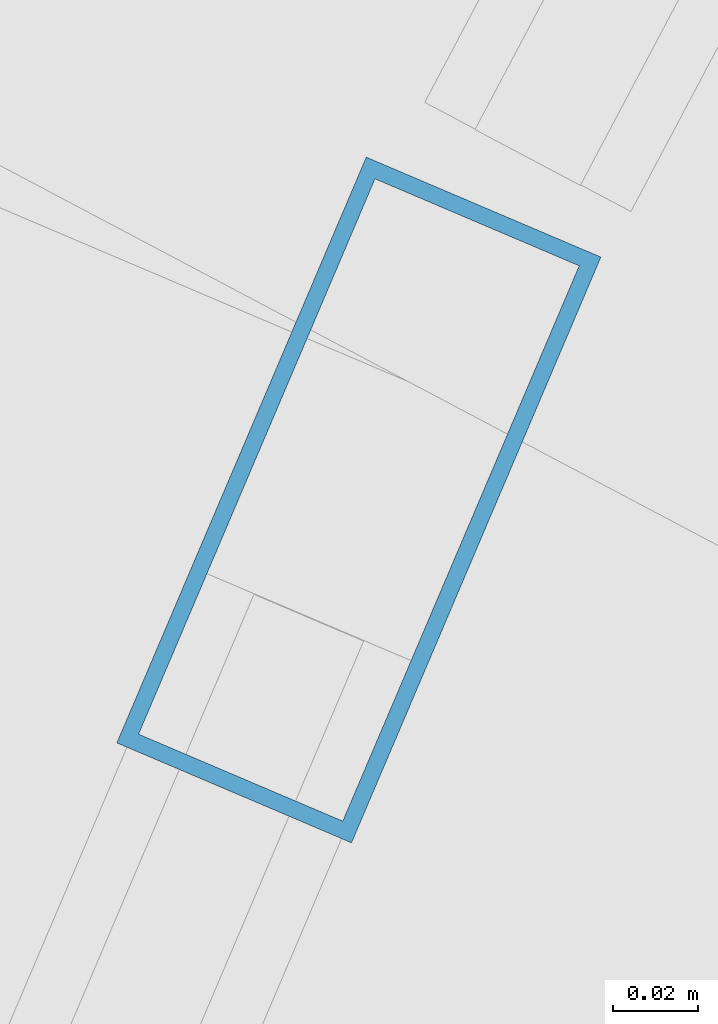
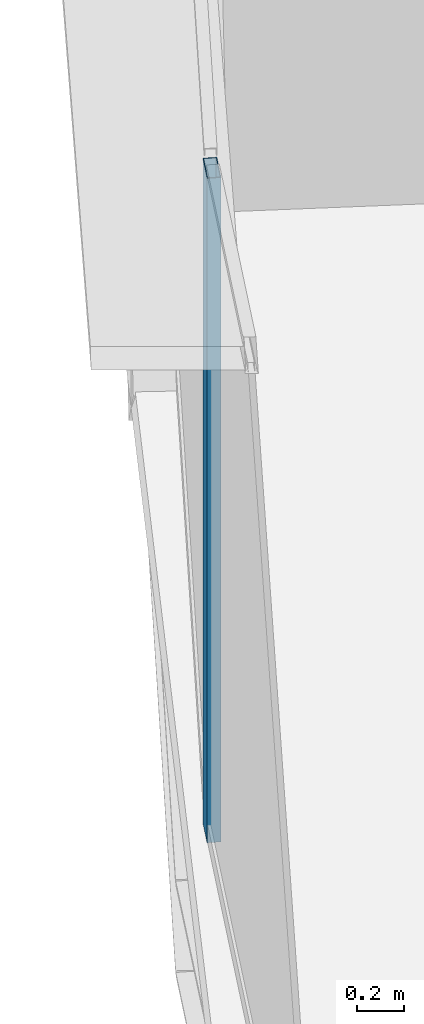
# One storey, part 8 of 39: 1 member, 1 element without a shape of its own.
"""IFC4 building model written with IfcOpenShell, lengths in metres."""

from ifc_helpers import new_model, si_unit, direction, frame, origin, origin_2d, place, context, subcontext, project, spatial, hollow_rectangle, extrude, source, transform, mapped, material, layer, layer_set, material_profile, profile_set, type_object, element, aggregate, save


model = new_model("IFC4")

# Units and contexts
model_context = context("Model", 3, precision=1e-05, world=origin(), true_north=direction((0.0, 1.0)))
body_context = subcontext(model_context, "Body", "Model", "MODEL_VIEW")
ifc_project = project(units=[si_unit("LENGTHUNIT", "METRE"), si_unit("AREAUNIT", "SQUARE_METRE"), si_unit("VOLUMEUNIT", "CUBIC_METRE"), si_unit("PLANEANGLEUNIT", "RADIAN"), si_unit("MASSUNIT", "GRAM", prefix="KILO"), si_unit("THERMODYNAMICTEMPERATUREUNIT", "KELVIN"), si_unit("POWERUNIT", "WATT")], contexts=[model_context])

# Site, building, storey
site_placement = place(None, origin())
site = spatial("IfcSite", under=ifc_project, at=site_placement, CompositionType="ELEMENT")
building_placement = place(site_placement, origin())
building = spatial("IfcBuilding", under=site, at=building_placement, Name="Yunzhuo Pagoda Commons", CompositionType="ELEMENT")
storey_placement = place(building_placement, frame((0.0, 0.0, 148.22998046875)))
storey = spatial("IfcBuildingStorey", under=building, at=storey_placement, Name="L37", CompositionType="ELEMENT", Elevation=148.22998046875)

# Curtain wall, member
ifc_material = material(Name="Anodized aluminium 6063-T6", Category="aluminium")
ifc_layer = layer(ifc_material, 0.14990234375)
ifc_layer_set = layer_set([ifc_layer], Name="Anodized aluminium 6063-T6")
curtain_wall_type = type_object("IfcCurtainWallType", Name="CW-MID Mid-Zone Ribbon Curtain Wall", PredefinedType="NOTDEFINED", material=ifc_layer_set)
curtain_wall_placement = place(storey_placement, origin())
curtain_wall = element("IfcCurtainWall", 1, at=curtain_wall_placement, inside=storey, type_object=curtain_wall_type, Name="L37 curtain wall CW-L37-F3B4", PredefinedType="NOTDEFINED")
ifc_material_profile = material_profile(ifc_material, hollow_rectangle(XDim=0.06005859375, YDim=0.14990234375, WallThickness=0.00390625, at=origin_2d()), Name="Anodized aluminium 6063-T6")
ifc_profile_set = profile_set([ifc_material_profile], Name="Anodized aluminium 6063-T6")
member_type = type_object("IfcMemberType", Name="CW-MID-M Mullion RHS 150x60x4", PredefinedType="MULLION", material=ifc_profile_set)
shared_shape = source(origin(), body_context, "Body", "SweptSolid", [
    extrude(hollow_rectangle(XDim=0.06005859375, YDim=0.14990234375, WallThickness=0.00390625, at=origin_2d()), origin(), (0.0, 0.0, 1.0), 3.419677734375),
])
member_placement = place(storey_placement, frame((16.53662109375, 43.8916015625, 0.000244140625), z_axis=(0.0, 0.0, 1.0), x_axis=(0.920072228059, -0.391748765351, 0.0)))
member = element("IfcMember", 2, at=member_placement, type_object=member_type, Name="CW mullion 1", PredefinedType="MULLION", context=body_context, shape_type="MappedRepresentation", body=[
    mapped(shared_shape, transform((0.0, 0.0, 0.0), scale=1.0)),
])
aggregate(curtain_wall, [member])

save(model, "model.ifc")
